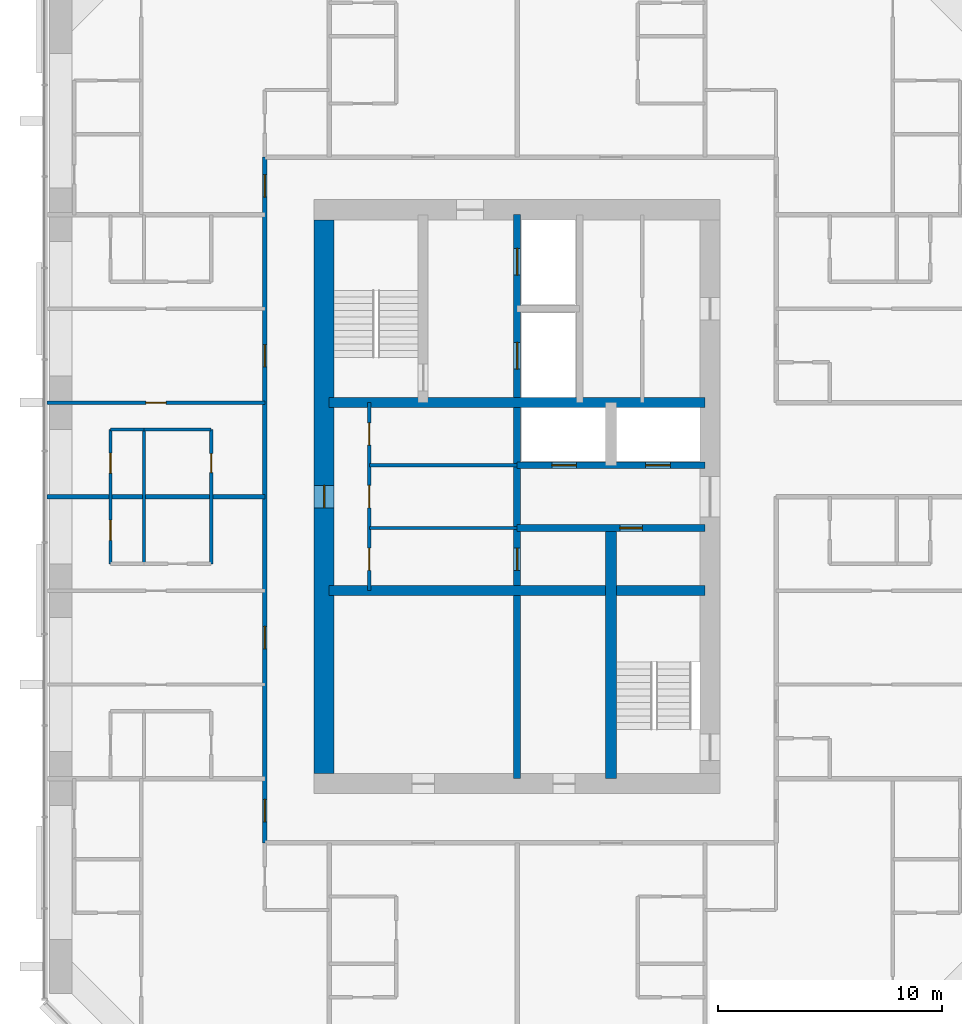
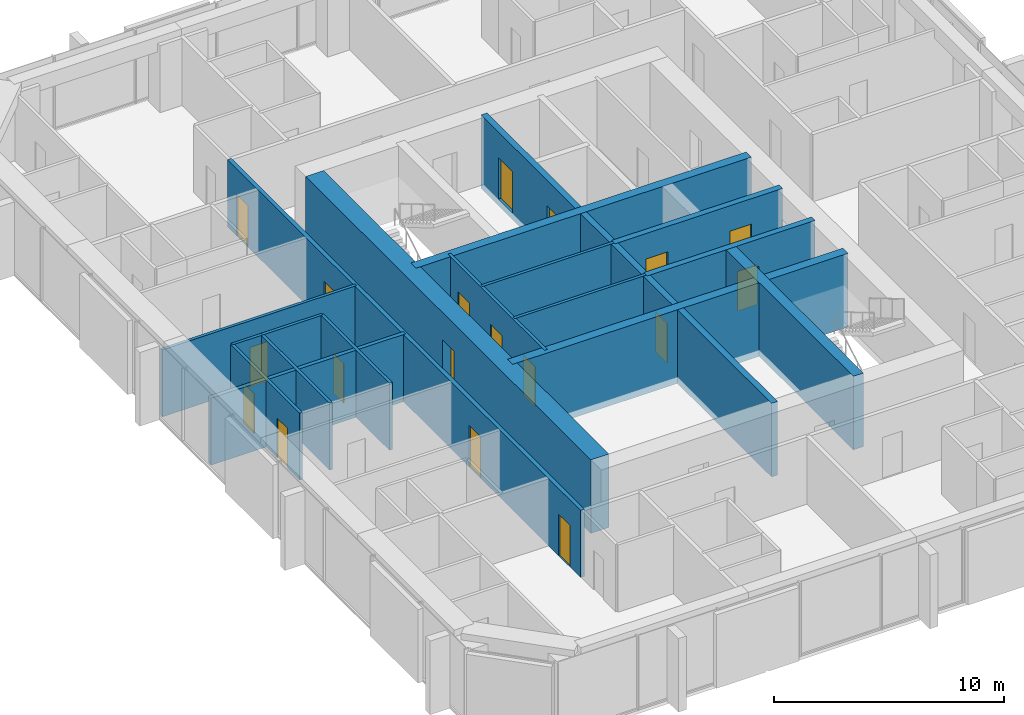
# One storey, part 8 of 12: 18 doors, 18 walls, 18 openings.
"""IFC4 building model written with IfcOpenShell, lengths in metres."""

from ifc_helpers import new_model, si_unit, direction, frame, frame_2d, origin, place, context, subcontext, project, spatial, rectangle, extrude, material, layer, layer_set, type_object, element, fill, save


model = new_model("IFC4")

# Units and contexts
model_context = context("Model", 3, precision=1e-05, world=origin(), true_north=direction((0.0, 1.0)))
body_context = subcontext(model_context, "Body", "Model", "MODEL_VIEW")
ifc_project = project(units=[si_unit("LENGTHUNIT", "METRE"), si_unit("AREAUNIT", "SQUARE_METRE"), si_unit("VOLUMEUNIT", "CUBIC_METRE"), si_unit("PLANEANGLEUNIT", "RADIAN"), si_unit("MASSUNIT", "GRAM", prefix="KILO")], contexts=[model_context])

# Site, building, storey
site_placement = place(None, origin())
site = spatial("IfcSite", under=ifc_project, at=site_placement, CompositionType="ELEMENT")
building_placement = place(site_placement, origin())
building = spatial("IfcBuilding", under=site, at=building_placement, Name="Dunama Terrace Hotel", CompositionType="ELEMENT")
storey_placement = place(building_placement, frame((0.0, 0.0, 237.300048828125)))
storey = spatial("IfcBuildingStorey", under=building, at=storey_placement, Name="L61", CompositionType="ELEMENT", Elevation=237.300048828125)

# Wall, opening, door
ifc_material_1 = material(Name="Gypsum board partition", Category="masonry")
ifc_layer_1 = layer(ifc_material_1, 0.14990234375)
ifc_layer_set_1 = layer_set([ifc_layer_1], Name="Bathroom partition 150")
wall_type_1 = type_object("IfcWallType", Name="Bathroom partition 150", PredefinedType="PARTITIONING", material=ifc_layer_set_1)
wall_1_placement = place(storey_placement, frame((19.925048828125, 26.39990234375, 0.0), z_axis=(0.0, 0.0, 1.0), x_axis=(0.0, 1.0, 0.0)))
wall_1 = element("IfcWall", 1, at=wall_1_placement, inside=storey, type_object=wall_type_1, Name="Bathroom partition 150 L61", PredefinedType="PARTITIONING", context=body_context, shape_type="SweptSolid", body=[
    extrude(rectangle(XDim=6.0, YDim=0.14990234375, at=frame_2d((3.0, 0.0))), origin(), (0.0, 0.0, 1.0), 3.550048828125),
])
opening_1_placement = place(wall_1_placement, frame((4.074951171875, 0.0, 0.0)))
opening_1 = element("IfcOpeningElement", 2, at=opening_1_placement, cuts=wall_1, Name="Opening L61-042", PredefinedType="OPENING", context=body_context, shape_type="SweptSolid", body=[
    extrude(rectangle(XDim=0.85009765625, YDim=2.10009765625, at=frame_2d((0.425048828125, 1.050048828125))), frame((0.0, 0.0849609375, 0.0), z_axis=(0.0, -1.0, 0.0), x_axis=(1.0, 0.0, 0.0)), (0.0, 0.0, 1.0), 0.169921875),
])
ifc_material_2 = material(Name="Timber door with steel frame", Category="steel")
door_type_1 = type_object("IfcDoorType", Name="Bathroom door 850", OperationType="SINGLE_SWING_LEFT", PredefinedType="DOOR", material=ifc_material_2)
door_1_placement = place(opening_1_placement, origin())
door_1 = element("IfcDoor", 3, at=door_1_placement, inside=storey, type_object=door_type_1, Name="Door to en-suite bathroom L61-042, type D2", OperationType="SINGLE_SWING_LEFT", OverallHeight=2.10009765625, OverallWidth=0.85009765625, PredefinedType="DOOR", context=body_context, shape_type="SweptSolid", body=[
    extrude(rectangle(XDim=0.85009765625, YDim=2.10009765625, at=frame_2d((0.425048828125, 1.050048828125))), frame((0.0, 0.02490234375, 0.0), z_axis=(0.0, -1.0, 0.0), x_axis=(1.0, 0.0, 0.0)), (0.0, 0.0, 1.0), 0.050048828125),
])
fill(opening_1, door_1)

# Wall
wall_2_placement = place(storey_placement, frame((16.925048828125, 32.39990234375, 0.0), z_axis=(0.0, 0.0, 1.0), x_axis=(1.0, 0.0, 0.0)))
element("IfcWall", 4, at=wall_2_placement, inside=storey, type_object=wall_type_1, Name="Bathroom partition 150 L61", PredefinedType="PARTITIONING", context=body_context, shape_type="SweptSolid", body=[
    extrude(rectangle(XDim=3.0, YDim=0.14990234375, at=frame_2d((1.5, 0.0))), origin(), (0.0, 0.0, 1.0), 3.550048828125),
])

# Wall, openings, doors
ifc_material_3 = material(Name="Concrete C50/60", Category="concrete")
ifc_layer_2 = layer(ifc_material_3, 0.300048828125)
ifc_layer_set_2 = layer_set([ifc_layer_2], Name="Core inner wall 300")
wall_type_2 = type_object("IfcWallType", Name="Core inner wall 300", PredefinedType="SHEAR", material=ifc_layer_set_2)
wall_3_placement = place(storey_placement, frame((33.60009765625, 16.800048828125, -0.35009765625), z_axis=(0.0, 0.0, 1.0), x_axis=(0.0, 1.0, 0.0)))
wall_3 = element("IfcWall", 5, at=wall_3_placement, inside=storey, type_object=wall_type_2, Name="Core inner wall 300 L61", PredefinedType="SHEAR", context=body_context, shape_type="SweptSolid", body=[
    extrude(rectangle(XDim=25.199951171875, YDim=0.300048828125, at=frame_2d((12.60009765625, 0.0))), origin(), (0.0, 0.0, 1.0), 3.900146484375),
])
opening_2_placement = place(wall_3_placement, frame((22.5, 0.0, 0.35009765625)))
opening_2 = element("IfcOpeningElement", 6, at=opening_2_placement, cuts=wall_3, Name="Opening L61-005", PredefinedType="OPENING", context=body_context, shape_type="SweptSolid", body=[
    extrude(rectangle(XDim=1.199951171875, YDim=2.199951171875, at=frame_2d((0.60009765625, 1.10009765625))), frame((0.0, 0.159912109375, 0.0), z_axis=(0.0, -1.0, 0.0), x_axis=(1.0, 0.0, 0.0)), (0.0, 0.0, 1.0), 0.320068359375),
])
opening_3_placement = place(wall_3_placement, frame((18.300048828125, 0.0, 0.35009765625)))
opening_3 = element("IfcOpeningElement", 7, at=opening_3_placement, cuts=wall_3, Name="Opening L61-006", PredefinedType="OPENING", context=body_context, shape_type="SweptSolid", body=[
    extrude(rectangle(XDim=1.199951171875, YDim=2.199951171875, at=frame_2d((0.60009765625, 1.10009765625))), frame((0.0, 0.159912109375, 0.0), z_axis=(0.0, -1.0, 0.0), x_axis=(1.0, 0.0, 0.0)), (0.0, 0.0, 1.0), 0.320068359375),
])
opening_4_placement = place(wall_3_placement, frame((9.300048828125, 0.0, 0.35009765625)))
opening_4 = element("IfcOpeningElement", 8, at=opening_4_placement, cuts=wall_3, Name="Opening L61-068", PredefinedType="OPENING", context=body_context, shape_type="SweptSolid", body=[
    extrude(rectangle(XDim=1.0, YDim=2.10009765625, at=frame_2d((0.5, 1.050048828125))), frame((0.0, 0.159912109375, 0.0), z_axis=(0.0, -1.0, 0.0), x_axis=(1.0, 0.0, 0.0)), (0.0, 0.0, 1.0), 0.320068359375),
])
ifc_material_4 = material(Name="Stainless steel lift door", Category="steel")
door_type_2 = type_object("IfcDoorType", Name="Firefighting lift landing door 1200", OperationType="DOUBLE_DOOR_SLIDING", PredefinedType="DOOR", material=ifc_material_4)
door_2_placement = place(opening_2_placement, origin())
door_2 = element("IfcDoor", 9, at=door_2_placement, inside=storey, type_object=door_type_2, Name="Landing door FL1 L61-005, type LD2", OperationType="DOUBLE_DOOR_SLIDING", OverallHeight=2.199951171875, OverallWidth=1.199951171875, PredefinedType="DOOR", context=body_context, shape_type="SweptSolid", body=[
    extrude(rectangle(XDim=1.199951171875, YDim=2.199951171875, at=frame_2d((0.60009765625, 1.10009765625))), frame((0.0, 0.02490234375, 0.0), z_axis=(0.0, -1.0, 0.0), x_axis=(1.0, 0.0, 0.0)), (0.0, 0.0, 1.0), 0.050048828125),
])
fill(opening_2, door_2)
door_3_placement = place(opening_3_placement, origin())
door_3 = element("IfcDoor", 10, at=door_3_placement, inside=storey, type_object=door_type_2, Name="Landing door FL2 L61-006, type LD2", OperationType="DOUBLE_DOOR_SLIDING", OverallHeight=2.199951171875, OverallWidth=1.199951171875, PredefinedType="DOOR", context=body_context, shape_type="SweptSolid", body=[
    extrude(rectangle(XDim=1.199951171875, YDim=2.199951171875, at=frame_2d((0.60009765625, 1.10009765625))), frame((0.0, 0.02490234375, 0.0), z_axis=(0.0, -1.0, 0.0), x_axis=(1.0, 0.0, 0.0)), (0.0, 0.0, 1.0), 0.050048828125),
])
fill(opening_3, door_3)
ifc_material_5 = material(Name="Timber door with steel frame", Category="steel")
door_type_3 = type_object("IfcDoorType", Name="Service door 1000", OperationType="SINGLE_SWING_LEFT", PredefinedType="DOOR", material=ifc_material_5)
door_4_placement = place(opening_4_placement, frame((1.0, 0.0, 0.0), z_axis=(0.0, 0.0, 1.0), x_axis=(-1.0, 0.0, 0.0)))
door_4 = element("IfcDoor", 11, at=door_4_placement, inside=storey, type_object=door_type_3, Name="Door to service riser L61-068, type D7", OperationType="SINGLE_SWING_RIGHT", OverallHeight=2.10009765625, OverallWidth=1.0, PredefinedType="DOOR", context=body_context, shape_type="SweptSolid", body=[
    extrude(rectangle(XDim=1.0, YDim=2.10009765625, at=frame_2d((0.5, 1.050048828125))), frame((0.0, 0.025146484375, 0.0), z_axis=(0.0, -1.0, 0.0), x_axis=(1.0, 0.0, 0.0)), (0.0, 0.0, 1.0), 0.050048828125),
])
fill(opening_4, door_4)

# Wall, opening, door
wall_4_placement = place(storey_placement, frame((33.60009765625, 28.0, -0.35009765625), z_axis=(0.0, 0.0, 1.0), x_axis=(1.0, 0.0, 0.0)))
wall_4 = element("IfcWall", 12, at=wall_4_placement, inside=storey, type_object=wall_type_2, Name="Core inner wall 300 L61", PredefinedType="SHEAR", context=body_context, shape_type="SweptSolid", body=[
    extrude(rectangle(XDim=8.39990234375, YDim=0.300048828125, at=frame_2d((4.199951171875, 0.0))), origin(), (0.0, 0.0, 1.0), 3.900146484375),
])
opening_5_placement = place(wall_4_placement, frame((4.60009765625, 0.0, 0.35009765625)))
opening_5 = element("IfcOpeningElement", 13, at=opening_5_placement, cuts=wall_4, Name="Opening L61-069", PredefinedType="OPENING", context=body_context, shape_type="SweptSolid", body=[
    extrude(rectangle(XDim=1.0, YDim=2.10009765625, at=frame_2d((0.5, 1.050048828125))), frame((0.0, 0.159912109375, 0.0), z_axis=(0.0, -1.0, 0.0), x_axis=(1.0, 0.0, 0.0)), (0.0, 0.0, 1.0), 0.320068359375),
])
door_5_placement = place(opening_5_placement, frame((1.0, 0.0, 0.0), z_axis=(0.0, 0.0, 1.0), x_axis=(-1.0, 0.0, 0.0)))
door_5 = element("IfcDoor", 14, at=door_5_placement, inside=storey, type_object=door_type_3, Name="Door to ice and vending room L61-069, type D7", OperationType="SINGLE_SWING_RIGHT", OverallHeight=2.10009765625, OverallWidth=1.0, PredefinedType="DOOR", context=body_context, shape_type="SweptSolid", body=[
    extrude(rectangle(XDim=1.0, YDim=2.10009765625, at=frame_2d((0.5, 1.050048828125))), frame((0.0, 0.025146484375, 0.0), z_axis=(0.0, -1.0, 0.0), x_axis=(1.0, 0.0, 0.0)), (0.0, 0.0, 1.0), 0.050048828125),
])
fill(opening_5, door_5)

# Wall, openings, doors
wall_5_placement = place(storey_placement, frame((33.60009765625, 30.800048828125, -0.35009765625), z_axis=(0.0, 0.0, 1.0), x_axis=(1.0, 0.0, 0.0)))
wall_5 = element("IfcWall", 15, at=wall_5_placement, inside=storey, type_object=wall_type_2, Name="Core inner wall 300 L61", PredefinedType="SHEAR", context=body_context, shape_type="SweptSolid", body=[
    extrude(rectangle(XDim=8.39990234375, YDim=0.300048828125, at=frame_2d((4.199951171875, 0.0))), origin(), (0.0, 0.0, 1.0), 3.900146484375),
])
opening_6_placement = place(wall_5_placement, frame((1.550048828125, 0.0, 0.35009765625)))
opening_6 = element("IfcOpeningElement", 16, at=opening_6_placement, cuts=wall_5, Name="Opening L61-003", PredefinedType="OPENING", context=body_context, shape_type="SweptSolid", body=[
    extrude(rectangle(XDim=1.10009765625, YDim=2.199951171875, at=frame_2d((0.550048828125, 1.10009765625))), frame((0.0, 0.159912109375, 0.0), z_axis=(0.0, -1.0, 0.0), x_axis=(1.0, 0.0, 0.0)), (0.0, 0.0, 1.0), 0.320068359375),
])
opening_7_placement = place(wall_5_placement, frame((5.75, 0.0, 0.35009765625)))
opening_7 = element("IfcOpeningElement", 17, at=opening_7_placement, cuts=wall_5, Name="Opening L61-004", PredefinedType="OPENING", context=body_context, shape_type="SweptSolid", body=[
    extrude(rectangle(XDim=1.10009765625, YDim=2.199951171875, at=frame_2d((0.550048828125, 1.10009765625))), frame((0.0, 0.159912109375, 0.0), z_axis=(0.0, -1.0, 0.0), x_axis=(1.0, 0.0, 0.0)), (0.0, 0.0, 1.0), 0.320068359375),
])
ifc_material_6 = material(Name="Stainless steel lift door", Category="steel")
door_type_4 = type_object("IfcDoorType", Name="Lift landing door 1100", OperationType="DOUBLE_DOOR_SLIDING", PredefinedType="DOOR", material=ifc_material_6)
door_6_placement = place(opening_6_placement, origin())
door_6 = element("IfcDoor", 18, at=door_6_placement, inside=storey, type_object=door_type_4, Name="Landing door PD1 L61-003, type LD1", OperationType="DOUBLE_DOOR_SLIDING", OverallHeight=2.199951171875, OverallWidth=1.10009765625, PredefinedType="DOOR", context=body_context, shape_type="SweptSolid", body=[
    extrude(rectangle(XDim=1.10009765625, YDim=2.199951171875, at=frame_2d((0.550048828125, 1.10009765625))), frame((0.0, 0.02490234375, 0.0), z_axis=(0.0, -1.0, 0.0), x_axis=(1.0, 0.0, 0.0)), (0.0, 0.0, 1.0), 0.050048828125),
])
fill(opening_6, door_6)
door_7_placement = place(opening_7_placement, origin())
door_7 = element("IfcDoor", 19, at=door_7_placement, inside=storey, type_object=door_type_4, Name="Landing door PD2 L61-004, type LD1", OperationType="DOUBLE_DOOR_SLIDING", OverallHeight=2.199951171875, OverallWidth=1.10009765625, PredefinedType="DOOR", context=body_context, shape_type="SweptSolid", body=[
    extrude(rectangle(XDim=1.10009765625, YDim=2.199951171875, at=frame_2d((0.550048828125, 1.10009765625))), frame((0.0, 0.02490234375, 0.0), z_axis=(0.0, -1.0, 0.0), x_axis=(1.0, 0.0, 0.0)), (0.0, 0.0, 1.0), 0.050048828125),
])
fill(opening_7, door_7)

# Walls
ifc_material_7 = material(Name="Concrete C50/60", Category="concrete")
ifc_layer_3 = layer(ifc_material_7, 0.449951171875)
ifc_layer_set_3 = layer_set([ifc_layer_3], Name="Core inner wall 450")
wall_type_3 = type_object("IfcWallType", Name="Core inner wall 450", PredefinedType="SHEAR", material=ifc_layer_set_3)
for number, where, z_axis, x_axis, name in (
    (20, (25.199951171875, 25.199951171875, -0.35009765625), (0.0, 0.0, 1.0), (1.0, 0.0, 0.0), "Core inner wall 450 L61"),
    (21, (25.199951171875, 33.60009765625, -0.35009765625), (0.0, 0.0, 1.0), (1.0, 0.0, 0.0), "Core inner wall 450 L61"),
):
    element("IfcWall", number, at=place(storey_placement, frame(where, z_axis=z_axis, x_axis=x_axis)), inside=storey, type_object=wall_type_3, Name=name, PredefinedType="SHEAR", context=body_context, shape_type="SweptSolid", body=[
        extrude(rectangle(XDim=16.800048828125, YDim=0.449951171875, at=frame_2d((8.39990234375, 0.0))), origin(), (0.0, 0.0, 1.0), 3.900146484375),
    ])
ifc_material_8 = material(Name="Concrete C50/60", Category="concrete")
ifc_layer_4 = layer(ifc_material_8, 0.5)
ifc_layer_set_4 = layer_set([ifc_layer_4], Name="Core inner wall 500")
wall_type_4 = type_object("IfcWallType", Name="Core inner wall 500", PredefinedType="SHEAR", material=ifc_layer_set_4)
wall_6_placement = place(storey_placement, frame((37.800048828125, 16.800048828125, -0.35009765625), z_axis=(0.0, 0.0, 1.0), x_axis=(0.0, 1.0, 0.0)))
element("IfcWall", 22, at=wall_6_placement, inside=storey, type_object=wall_type_4, Name="Core inner wall 500 L61", PredefinedType="SHEAR", context=body_context, shape_type="SweptSolid", body=[
    extrude(rectangle(XDim=11.199951171875, YDim=0.5, at=frame_2d((5.60009765625, 0.0))), origin(), (0.0, 0.0, 1.0), 3.900146484375),
])

# Wall, opening, door
ifc_material_9 = material(Name="Concrete C60/75", Category="concrete")
ifc_layer_5 = layer(ifc_material_9, 0.89990234375)
ifc_layer_set_5 = layer_set([ifc_layer_5], Name="Core wall 900")
wall_type_5 = type_object("IfcWallType", Name="Core wall 900", PredefinedType="SHEAR", material=ifc_layer_set_5)
wall_7_placement = place(storey_placement, frame((24.97509765625, 41.77490234375, -0.35009765625), z_axis=(0.0, 0.0, 1.0), x_axis=(0.0, -1.0, 0.0)))
wall_7 = element("IfcWall", 23, at=wall_7_placement, inside=storey, type_object=wall_type_5, Name="Core wall west L61", PredefinedType="SHEAR", context=body_context, shape_type="SweptSolid", body=[
    extrude(rectangle(XDim=24.75, YDim=0.89990234375, at=frame_2d((12.375, 0.0))), origin(), (0.0, 0.0, 1.0), 3.900146484375),
])
opening_8_placement = place(wall_7_placement, frame((11.875, 0.0, 0.35009765625)))
opening_8 = element("IfcOpeningElement", 24, at=opening_8_placement, cuts=wall_7, Name="Opening L61-064", PredefinedType="OPENING", context=body_context, shape_type="SweptSolid", body=[
    extrude(rectangle(XDim=1.0, YDim=2.10009765625, at=frame_2d((0.5, 1.050048828125))), frame((0.0, 0.4599609375, 0.0), z_axis=(0.0, -1.0, 0.0), x_axis=(1.0, 0.0, 0.0)), (0.0, 0.0, 1.0), 0.919921875),
])
door_8_placement = place(opening_8_placement, origin())
door_8 = element("IfcDoor", 25, at=door_8_placement, inside=storey, type_object=door_type_3, Name="Door to staff passage L61-064, type D7", OperationType="SINGLE_SWING_LEFT", OverallHeight=2.10009765625, OverallWidth=1.0, PredefinedType="DOOR", context=body_context, shape_type="SweptSolid", body=[
    extrude(rectangle(XDim=1.0, YDim=2.10009765625, at=frame_2d((0.5, 1.050048828125))), frame((0.0, 0.02490234375, 0.0), z_axis=(0.0, -1.0, 0.0), x_axis=(1.0, 0.0, 0.0)), (0.0, 0.0, 1.0), 0.050048828125),
])
fill(opening_8, door_8)

# Wall, openings, doors
ifc_material_10 = material(Name="Concrete blockwork", Category="masonry")
ifc_layer_6 = layer(ifc_material_10, 0.199951171875)
ifc_layer_set_6 = layer_set([ifc_layer_6], Name="Corridor partition 200")
wall_type_6 = type_object("IfcWallType", Name="Corridor partition 200", PredefinedType="PARTITIONING", material=ifc_layer_set_6)
wall_8_placement = place(storey_placement, frame((22.324951171875, 13.925048828125, 0.0), z_axis=(0.0, 0.0, 1.0), x_axis=(0.0, 1.0, 0.0)))
wall_8 = element("IfcWall", 26, at=wall_8_placement, inside=storey, type_object=wall_type_6, Name="Corridor partition 200 L61", PredefinedType="PARTITIONING", context=body_context, shape_type="SweptSolid", body=[
    extrude(rectangle(XDim=30.64990234375, YDim=0.199951171875, at=frame_2d((15.324951171875, 0.0))), origin(), (0.0, 0.0, 1.0), 3.550048828125),
])
opening_9_placement = place(wall_8_placement, frame((8.675048828125, 0.0, 0.0)))
opening_9 = element("IfcOpeningElement", 27, at=opening_9_placement, cuts=wall_8, Name="Opening L61-030", PredefinedType="OPENING", context=body_context, shape_type="SweptSolid", body=[
    extrude(rectangle(XDim=1.0, YDim=2.199951171875, at=frame_2d((0.5, 1.10009765625))), frame((0.0, 0.10986328125, 0.0), z_axis=(0.0, -1.0, 0.0), x_axis=(1.0, 0.0, 0.0)), (0.0, 0.0, 1.0), 0.219970703125),
])
opening_10_placement = place(wall_8_placement, frame((21.27490234375, 0.0, 0.0)))
opening_10 = element("IfcOpeningElement", 28, at=opening_10_placement, cuts=wall_8, Name="Opening L61-037", PredefinedType="OPENING", context=body_context, shape_type="SweptSolid", body=[
    extrude(rectangle(XDim=1.0, YDim=2.199951171875, at=frame_2d((0.5, 1.10009765625))), frame((0.0, 0.10986328125, 0.0), z_axis=(0.0, -1.0, 0.0), x_axis=(1.0, 0.0, 0.0)), (0.0, 0.0, 1.0), 0.219970703125),
])
opening_11_placement = place(wall_8_placement, frame((0.93798828125, 0.0, 0.0)))
opening_11 = element("IfcOpeningElement", 29, at=opening_11_placement, cuts=wall_8, Name="Opening L61-044", PredefinedType="OPENING", context=body_context, shape_type="SweptSolid", body=[
    extrude(rectangle(XDim=1.0, YDim=2.199951171875, at=frame_2d((0.5, 1.10009765625))), frame((0.0, 0.10986328125, 0.0), z_axis=(0.0, -1.0, 0.0), x_axis=(1.0, 0.0, 0.0)), (0.0, 0.0, 1.0), 0.219970703125),
])
opening_12_placement = place(wall_8_placement, frame((28.863037109375, 0.0, 0.0)))
opening_12 = element("IfcOpeningElement", 30, at=opening_12_placement, cuts=wall_8, Name="Opening L61-059", PredefinedType="OPENING", context=body_context, shape_type="SweptSolid", body=[
    extrude(rectangle(XDim=1.0, YDim=2.199951171875, at=frame_2d((0.5, 1.10009765625))), frame((0.0, 0.10986328125, 0.0), z_axis=(0.0, -1.0, 0.0), x_axis=(1.0, 0.0, 0.0)), (0.0, 0.0, 1.0), 0.219970703125),
])
ifc_material_11 = material(Name="Timber door with steel frame", Category="steel")
door_type_5 = type_object("IfcDoorType", Name="Guest room door 1000", OperationType="SINGLE_SWING_LEFT", PredefinedType="DOOR", material=ifc_material_11)
door_9_placement = place(opening_9_placement, origin())
door_9 = element("IfcDoor", 31, at=door_9_placement, inside=storey, type_object=door_type_5, Name="Door to two-bedroom suite living room L61-030, type D1", OperationType="SINGLE_SWING_RIGHT", OverallHeight=2.199951171875, OverallWidth=1.0, PredefinedType="DOOR", context=body_context, shape_type="SweptSolid", body=[
    extrude(rectangle(XDim=1.0, YDim=2.199951171875, at=frame_2d((0.5, 1.10009765625))), frame((0.0, 0.02490234375, 0.0), z_axis=(0.0, -1.0, 0.0), x_axis=(1.0, 0.0, 0.0)), (0.0, 0.0, 1.0), 0.050048828125),
])
fill(opening_9, door_9)
door_10_placement = place(opening_10_placement, origin())
door_10 = element("IfcDoor", 32, at=door_10_placement, inside=storey, type_object=door_type_5, Name="Door to two-bedroom suite living room L61-037, type D1", OperationType="SINGLE_SWING_RIGHT", OverallHeight=2.199951171875, OverallWidth=1.0, PredefinedType="DOOR", context=body_context, shape_type="SweptSolid", body=[
    extrude(rectangle(XDim=1.0, YDim=2.199951171875, at=frame_2d((0.5, 1.10009765625))), frame((0.0, 0.02490234375, 0.0), z_axis=(0.0, -1.0, 0.0), x_axis=(1.0, 0.0, 0.0)), (0.0, 0.0, 1.0), 0.050048828125),
])
fill(opening_10, door_10)
door_11_placement = place(opening_11_placement, origin())
door_11 = element("IfcDoor", 33, at=door_11_placement, inside=storey, type_object=door_type_5, Name="Door to grand corner suite living room L61-044, type D1", OperationType="SINGLE_SWING_RIGHT", OverallHeight=2.199951171875, OverallWidth=1.0, PredefinedType="DOOR", context=body_context, shape_type="SweptSolid", body=[
    extrude(rectangle(XDim=1.0, YDim=2.199951171875, at=frame_2d((0.5, 1.10009765625))), frame((0.0, 0.02490234375, 0.0), z_axis=(0.0, -1.0, 0.0), x_axis=(1.0, 0.0, 0.0)), (0.0, 0.0, 1.0), 0.050048828125),
])
fill(opening_11, door_11)
door_12_placement = place(opening_12_placement, origin())
door_12 = element("IfcDoor", 34, at=door_12_placement, inside=storey, type_object=door_type_5, Name="Door to grand corner suite living room L61-059, type D1", OperationType="SINGLE_SWING_RIGHT", OverallHeight=2.199951171875, OverallWidth=1.0, PredefinedType="DOOR", context=body_context, shape_type="SweptSolid", body=[
    extrude(rectangle(XDim=1.0, YDim=2.199951171875, at=frame_2d((0.5, 1.10009765625))), frame((0.0, 0.02490234375, 0.0), z_axis=(0.0, -1.0, 0.0), x_axis=(1.0, 0.0, 0.0)), (0.0, 0.0, 1.0), 0.050048828125),
])
fill(opening_12, door_12)

# Wall
ifc_material_12 = material(Name="Concrete blockwork", Category="masonry")
ifc_layer_7 = layer(ifc_material_12, 0.199951171875)
ifc_layer_set_7 = layer_set([ifc_layer_7], Name="Party wall 200")
wall_type_7 = type_object("IfcWallType", Name="Party wall 200", PredefinedType="PARTITIONING", material=ifc_layer_set_7)
wall_9_placement = place(storey_placement, frame((12.58203125, 29.39990234375, 0.0), z_axis=(0.0, 0.0, 1.0), x_axis=(1.0, 0.0, 0.0)))
element("IfcWall", 35, at=wall_9_placement, inside=storey, type_object=wall_type_7, Name="Party wall 200 L61", PredefinedType="PARTITIONING", context=body_context, shape_type="SweptSolid", body=[
    extrude(rectangle(XDim=9.742919921875, YDim=0.199951171875, at=frame_2d((4.87158203125, 0.0))), origin(), (0.0, 0.0, 1.0), 3.550048828125),
])

# Wall, openings, doors
ifc_material_13 = material(Name="Gypsum board partition", Category="masonry")
ifc_layer_8 = layer(ifc_material_13, 0.14990234375)
ifc_layer_set_8 = layer_set([ifc_layer_8], Name="Room partition 150")
wall_type_8 = type_object("IfcWallType", Name="Room partition 150", PredefinedType="PARTITIONING", material=ifc_layer_set_8)
wall_10_placement = place(storey_placement, frame((15.425048828125, 26.39990234375, 0.0), z_axis=(0.0, 0.0, 1.0), x_axis=(0.0, 1.0, 0.0)))
wall_10 = element("IfcWall", 36, at=wall_10_placement, inside=storey, type_object=wall_type_8, Name="Room partition 150 L61", PredefinedType="PARTITIONING", context=body_context, shape_type="SweptSolid", body=[
    extrude(rectangle(XDim=6.0, YDim=0.14990234375, at=frame_2d((3.0, 0.0))), origin(), (0.0, 0.0, 1.0), 3.550048828125),
])
opening_13_placement = place(wall_10_placement, frame((1.050048828125, 0.0, 0.0)))
opening_13 = element("IfcOpeningElement", 37, at=opening_13_placement, cuts=wall_10, Name="Opening L61-036", PredefinedType="OPENING", context=body_context, shape_type="SweptSolid", body=[
    extrude(rectangle(XDim=0.89990234375, YDim=2.10009765625, at=frame_2d((0.449951171875, 1.050048828125))), frame((0.0, 0.0849609375, 0.0), z_axis=(0.0, -1.0, 0.0), x_axis=(1.0, 0.0, 0.0)), (0.0, 0.0, 1.0), 0.169921875),
])
opening_14_placement = place(wall_10_placement, frame((4.050048828125, 0.0, 0.0)))
opening_14 = element("IfcOpeningElement", 38, at=opening_14_placement, cuts=wall_10, Name="Opening L61-043", PredefinedType="OPENING", context=body_context, shape_type="SweptSolid", body=[
    extrude(rectangle(XDim=0.89990234375, YDim=2.10009765625, at=frame_2d((0.449951171875, 1.050048828125))), frame((0.0, 0.0849609375, 0.0), z_axis=(0.0, -1.0, 0.0), x_axis=(1.0, 0.0, 0.0)), (0.0, 0.0, 1.0), 0.169921875),
])
ifc_material_14 = material(Name="Timber door with steel frame", Category="steel")
door_type_6 = type_object("IfcDoorType", Name="Suite internal door 900", OperationType="SINGLE_SWING_LEFT", PredefinedType="DOOR", material=ifc_material_14)
door_13_placement = place(opening_13_placement, frame((0.89990234375, 0.0, 0.0), z_axis=(0.0, 0.0, 1.0), x_axis=(-1.0, 0.0, 0.0)))
door_13 = element("IfcDoor", 39, at=door_13_placement, inside=storey, type_object=door_type_6, Name="Door to walk-in wardrobe L61-036, type D16", OperationType="SINGLE_SWING_RIGHT", OverallHeight=2.10009765625, OverallWidth=0.89990234375, PredefinedType="DOOR", context=body_context, shape_type="SweptSolid", body=[
    extrude(rectangle(XDim=0.89990234375, YDim=2.10009765625, at=frame_2d((0.449951171875, 1.050048828125))), frame((0.0, 0.025146484375, 0.0), z_axis=(0.0, -1.0, 0.0), x_axis=(1.0, 0.0, 0.0)), (0.0, 0.0, 1.0), 0.050048828125),
])
fill(opening_13, door_13)
door_14_placement = place(opening_14_placement, frame((0.89990234375, 0.0, 0.0), z_axis=(0.0, 0.0, 1.0), x_axis=(-1.0, 0.0, 0.0)))
door_14 = element("IfcDoor", 40, at=door_14_placement, inside=storey, type_object=door_type_6, Name="Door to walk-in wardrobe L61-043, type D16", OperationType="SINGLE_SWING_RIGHT", OverallHeight=2.10009765625, OverallWidth=0.89990234375, PredefinedType="DOOR", context=body_context, shape_type="SweptSolid", body=[
    extrude(rectangle(XDim=0.89990234375, YDim=2.10009765625, at=frame_2d((0.449951171875, 1.050048828125))), frame((0.0, 0.025146484375, 0.0), z_axis=(0.0, -1.0, 0.0), x_axis=(1.0, 0.0, 0.0)), (0.0, 0.0, 1.0), 0.050048828125),
])
fill(opening_14, door_14)

# Wall
wall_11_placement = place(storey_placement, frame((16.925048828125, 26.39990234375, 0.0), z_axis=(0.0, 0.0, 1.0), x_axis=(0.0, 1.0, 0.0)))
element("IfcWall", 41, at=wall_11_placement, inside=storey, type_object=wall_type_8, Name="Room partition 150 L61", PredefinedType="PARTITIONING", context=body_context, shape_type="SweptSolid", body=[
    extrude(rectangle(XDim=6.0, YDim=0.14990234375, at=frame_2d((3.0, 0.0))), origin(), (0.0, 0.0, 1.0), 3.550048828125),
])

# Wall, openings, doors
wall_12_placement = place(storey_placement, frame((27.0, 25.199951171875, 0.0), z_axis=(0.0, 0.0, 1.0), x_axis=(0.0, 1.0, 0.0)))
wall_12 = element("IfcWall", 42, at=wall_12_placement, inside=storey, type_object=wall_type_8, Name="Room partition 150 L61", PredefinedType="PARTITIONING", context=body_context, shape_type="SweptSolid", body=[
    extrude(rectangle(XDim=8.400146484375, YDim=0.14990234375, at=frame_2d((4.2001953125, 0.0))), origin(), (0.0, 0.0, 1.0), 3.550048828125),
])
opening_15_placement = place(wall_12_placement, frame((0.89990234375, 0.0, 0.0)))
opening_15 = element("IfcOpeningElement", 43, at=opening_15_placement, cuts=wall_12, Name="Opening L61-065", PredefinedType="OPENING", context=body_context, shape_type="SweptSolid", body=[
    extrude(rectangle(XDim=1.0, YDim=2.10009765625, at=frame_2d((0.5, 1.050048828125))), frame((0.0, 0.0849609375, 0.0), z_axis=(0.0, -1.0, 0.0), x_axis=(1.0, 0.0, 0.0)), (0.0, 0.0, 1.0), 0.169921875),
])
opening_16_placement = place(wall_12_placement, frame((3.699951171875, 0.0, 0.0)))
opening_16 = element("IfcOpeningElement", 44, at=opening_16_placement, cuts=wall_12, Name="Opening L61-066", PredefinedType="OPENING", context=body_context, shape_type="SweptSolid", body=[
    extrude(rectangle(XDim=1.0, YDim=2.10009765625, at=frame_2d((0.5, 1.050048828125))), frame((0.0, 0.0849609375, 0.0), z_axis=(0.0, -1.0, 0.0), x_axis=(1.0, 0.0, 0.0)), (0.0, 0.0, 1.0), 0.169921875),
])
opening_17_placement = place(wall_12_placement, frame((6.5, 0.0, 0.0)))
opening_17 = element("IfcOpeningElement", 45, at=opening_17_placement, cuts=wall_12, Name="Opening L61-067", PredefinedType="OPENING", context=body_context, shape_type="SweptSolid", body=[
    extrude(rectangle(XDim=1.0, YDim=2.10009765625, at=frame_2d((0.5, 1.050048828125))), frame((0.0, 0.0849609375, 0.0), z_axis=(0.0, -1.0, 0.0), x_axis=(1.0, 0.0, 0.0)), (0.0, 0.0, 1.0), 0.169921875),
])
door_15_placement = place(opening_15_placement, frame((1.0, 0.0, 0.0), z_axis=(0.0, 0.0, 1.0), x_axis=(-1.0, 0.0, 0.0)))
door_15 = element("IfcDoor", 46, at=door_15_placement, inside=storey, type_object=door_type_3, Name="Door to riser room L61-065, type D7", OperationType="SINGLE_SWING_RIGHT", OverallHeight=2.10009765625, OverallWidth=1.0, PredefinedType="DOOR", context=body_context, shape_type="SweptSolid", body=[
    extrude(rectangle(XDim=1.0, YDim=2.10009765625, at=frame_2d((0.5, 1.050048828125))), frame((0.0, 0.025146484375, 0.0), z_axis=(0.0, -1.0, 0.0), x_axis=(1.0, 0.0, 0.0)), (0.0, 0.0, 1.0), 0.050048828125),
])
fill(opening_15, door_15)
door_16_placement = place(opening_16_placement, frame((1.0, 0.0, 0.0), z_axis=(0.0, 0.0, 1.0), x_axis=(-1.0, 0.0, 0.0)))
door_16 = element("IfcDoor", 47, at=door_16_placement, inside=storey, type_object=door_type_3, Name="Door to uniform and linen exchange L61-066, type D7", OperationType="SINGLE_SWING_RIGHT", OverallHeight=2.10009765625, OverallWidth=1.0, PredefinedType="DOOR", context=body_context, shape_type="SweptSolid", body=[
    extrude(rectangle(XDim=1.0, YDim=2.10009765625, at=frame_2d((0.5, 1.050048828125))), frame((0.0, 0.025146484375, 0.0), z_axis=(0.0, -1.0, 0.0), x_axis=(1.0, 0.0, 0.0)), (0.0, 0.0, 1.0), 0.050048828125),
])
fill(opening_16, door_16)
door_17_placement = place(opening_17_placement, frame((1.0, 0.0, 0.0), z_axis=(0.0, 0.0, 1.0), x_axis=(-1.0, 0.0, 0.0)))
door_17 = element("IfcDoor", 48, at=door_17_placement, inside=storey, type_object=door_type_3, Name="Door to staff locker room L61-067, type D7", OperationType="SINGLE_SWING_LEFT", OverallHeight=2.10009765625, OverallWidth=1.0, PredefinedType="DOOR", context=body_context, shape_type="SweptSolid", body=[
    extrude(rectangle(XDim=1.0, YDim=2.10009765625, at=frame_2d((0.5, 1.050048828125))), frame((0.0, 0.025146484375, 0.0), z_axis=(0.0, -1.0, 0.0), x_axis=(1.0, 0.0, 0.0)), (0.0, 0.0, 1.0), 0.050048828125),
])
fill(opening_17, door_17)

# Walls
for number, where, z_axis, x_axis, name in (
    (49, (27.0, 28.0, 0.0), (0.0, 0.0, 1.0), (1.0, 0.0, 0.0), "Room partition 150 L61"),
    (50, (27.0, 30.800048828125, 0.0), (0.0, 0.0, 1.0), (1.0, 0.0, 0.0), "Room partition 150 L61"),
):
    element("IfcWall", number, at=place(storey_placement, frame(where, z_axis=z_axis, x_axis=x_axis)), inside=storey, type_object=wall_type_8, Name=name, PredefinedType="PARTITIONING", context=body_context, shape_type="SweptSolid", body=[
        extrude(rectangle(XDim=6.60009765625, YDim=0.14990234375, at=frame_2d((3.300048828125, 0.0))), origin(), (0.0, 0.0, 1.0), 3.550048828125),
    ])
wall_13_placement = place(storey_placement, frame((15.425048828125, 32.39990234375, 0.0), z_axis=(0.0, 0.0, 1.0), x_axis=(1.0, 0.0, 0.0)))
element("IfcWall", 51, at=wall_13_placement, inside=storey, type_object=wall_type_8, Name="Room partition 150 L61", PredefinedType="PARTITIONING", context=body_context, shape_type="SweptSolid", body=[
    extrude(rectangle(XDim=1.5, YDim=0.14990234375, at=frame_2d((0.75, 0.0))), origin(), (0.0, 0.0, 1.0), 3.550048828125),
])

# Wall, opening, door
wall_14_placement = place(storey_placement, frame((12.58203125, 33.60009765625, 0.0), z_axis=(0.0, 0.0, 1.0), x_axis=(1.0, 0.0, 0.0)))
wall_14 = element("IfcWall", 52, at=wall_14_placement, inside=storey, type_object=wall_type_8, Name="Room partition 150 L61", PredefinedType="PARTITIONING", context=body_context, shape_type="SweptSolid", body=[
    extrude(rectangle(XDim=9.742919921875, YDim=0.14990234375, at=frame_2d((4.87158203125, 0.0))), origin(), (0.0, 0.0, 1.0), 3.550048828125),
])
opening_18_placement = place(wall_14_placement, frame((4.429931640625, 0.0, 0.0)))
opening_18 = element("IfcOpeningElement", 53, at=opening_18_placement, cuts=wall_14, Name="Opening L61-041", PredefinedType="OPENING", context=body_context, shape_type="SweptSolid", body=[
    extrude(rectangle(XDim=0.89990234375, YDim=2.10009765625, at=frame_2d((0.449951171875, 1.050048828125))), frame((0.0, 0.0849609375, 0.0), z_axis=(0.0, -1.0, 0.0), x_axis=(1.0, 0.0, 0.0)), (0.0, 0.0, 1.0), 0.169921875),
])
door_18_placement = place(opening_18_placement, frame((0.89990234375, 0.0, 0.0), z_axis=(0.0, 0.0, 1.0), x_axis=(-1.0, 0.0, 0.0)))
door_18 = element("IfcDoor", 54, at=door_18_placement, inside=storey, type_object=door_type_6, Name="Door to two-bedroom suite second bedroom L61-041, type D16", OperationType="SINGLE_SWING_RIGHT", OverallHeight=2.10009765625, OverallWidth=0.89990234375, PredefinedType="DOOR", context=body_context, shape_type="SweptSolid", body=[
    extrude(rectangle(XDim=0.89990234375, YDim=2.10009765625, at=frame_2d((0.449951171875, 1.050048828125))), frame((0.0, 0.025146484375, 0.0), z_axis=(0.0, -1.0, 0.0), x_axis=(1.0, 0.0, 0.0)), (0.0, 0.0, 1.0), 0.050048828125),
])
fill(opening_18, door_18)

save(model, "model.ifc")
